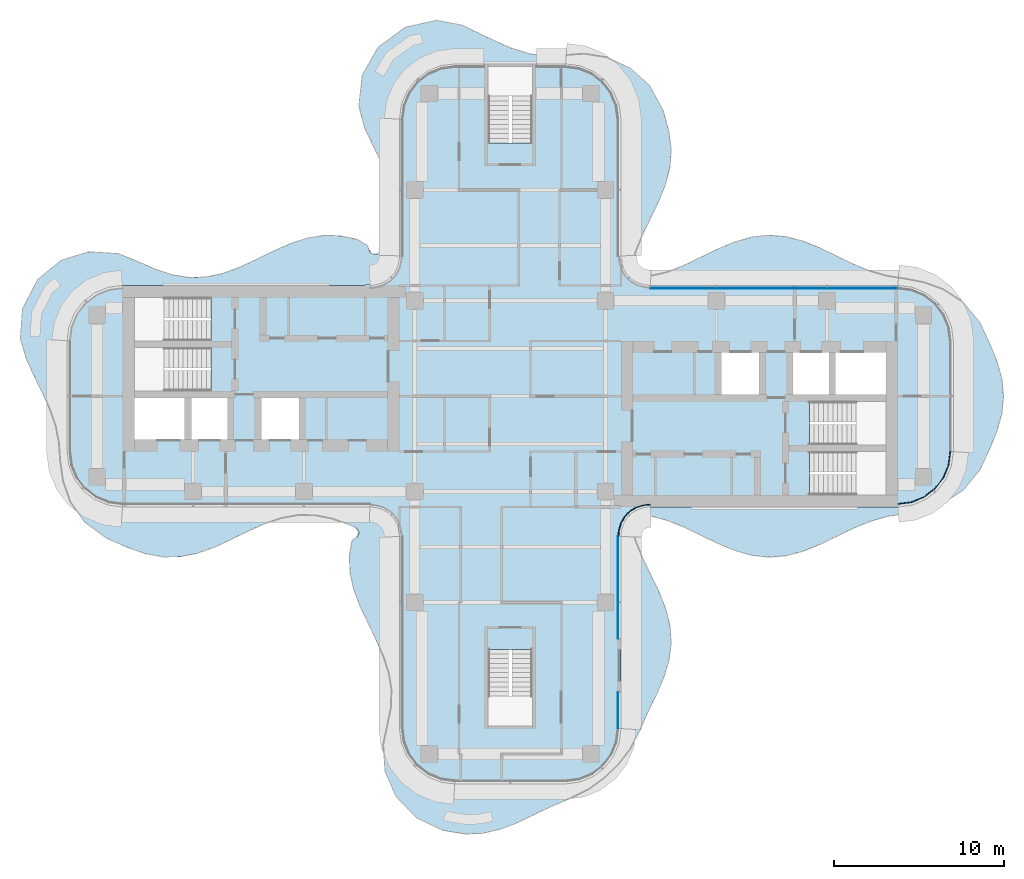
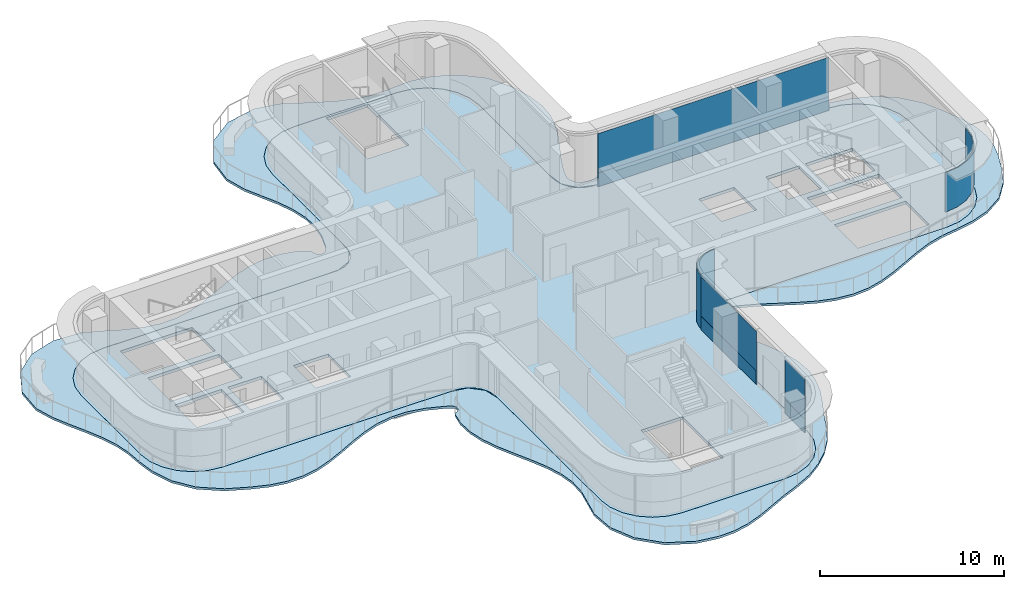
# One storey, part 9 of 16: 8 plates, 2 slabs, 5 elements without a shape of their own.
"""IFC4 building model written with IfcOpenShell, lengths in metres."""

from ifc_helpers import new_model, si_unit, direction, frame, origin, place, context, subcontext, project, spatial, polyline, outline, extrude, source, transform, mapped, material, layer, layer_set, type_object, element, aggregate, save


model = new_model("IFC4")

# Units and contexts
model_context = context("Model", 3, precision=1e-05, world=origin(), true_north=direction((0.0, 1.0)))
body_context = subcontext(model_context, "Body", "Model", "MODEL_VIEW")
ifc_project = project(units=[si_unit("LENGTHUNIT", "METRE"), si_unit("AREAUNIT", "SQUARE_METRE"), si_unit("VOLUMEUNIT", "CUBIC_METRE"), si_unit("PLANEANGLEUNIT", "RADIAN"), si_unit("MASSUNIT", "GRAM", prefix="KILO")], contexts=[model_context])

# Site, building, storey
site_placement = place(None, origin())
site = spatial("IfcSite", under=ifc_project, at=site_placement, CompositionType="ELEMENT")
building_placement = place(site_placement, origin())
building = spatial("IfcBuilding", under=site, at=building_placement, Name="Trellis Farm Tower", CompositionType="ELEMENT")
storey_placement = place(building_placement, frame((0.0, 0.0, 318.39990234375)))
storey = spatial("IfcBuildingStorey", under=building, at=storey_placement, Name="L72", CompositionType="ELEMENT", Elevation=318.39990234375)

# Slabs
ifc_material_1 = material(Name="Concrete C40/50", Category="concrete")
ifc_layer_1 = layer(ifc_material_1, 0.14990234375)
ifc_layer_set_1 = layer_set([ifc_layer_1], Name="Balcony slab 150")
slab_type_1 = type_object("IfcSlabType", Name="Balcony slab 150", PredefinedType="FLOOR", material=ifc_layer_set_1)
slab_1_placement = place(storey_placement, frame((0.0, 0.0, -0.14990234375)))
element("IfcSlab", 1, at=slab_1_placement, inside=storey, type_object=slab_type_1, Name="Balcony slab", PredefinedType="FLOOR", context=body_context, shape_type="SweptSolid", body=[
    extrude(outline(polyline([(-26.40478515625, -3.806884765625), (-26.477783203125, -2.735595703125), (-26.47900390625, -2.726318359375), (-26.670654296875, -1.736572265625), (-26.673583984375, -1.725830078125), (-27.016845703125, -0.748291015625), (-27.019287109375, -0.741943359375), (-27.467529296875, 0.240234375), (-27.468505859375, 0.2421875), (-27.956298828125, 1.233154296875), (-27.95849609375, 1.237548828125), (-28.397705078125, 2.2080078125), (-28.405029296875, 2.227783203125), (-28.732177734375, 3.34765625), (-28.7373046875, 3.37353515625), (-28.740966796875, 3.407470703125), (-28.741455078125, 3.43359375), (-28.630859375, 5.06298828125), (-28.625732421875, 5.09326171875), (-28.615234375, 5.131103515625), (-28.60400390625, 5.15966796875), (-27.76318359375, 6.79296875), (-27.74658203125, 6.818603515625), (-27.721923828125, 6.84912109375), (-27.700439453125, 6.87060546875), (-26.411865234375, 7.933349609375), (-26.387939453125, 7.949462890625), (-26.355224609375, 7.96728515625), (-26.32861328125, 7.978515625), (-24.78515625, 8.4638671875), (-24.7587890625, 8.469482421875), (-24.724609375, 8.47412109375), (-24.697021484375, 8.474853515625), (-23.062255859375, 8.377197265625), (-23.01611328125, 8.366943359375), (-21.8955078125, 7.924560546875), (-21.88916015625, 7.922119140625), (-20.879638671875, 7.470458984375), (-20.872802734375, 7.4677734375), (-19.875244140625, 7.135986328125), (-19.86376953125, 7.133056640625), (-18.873779296875, 6.968017578125), (-18.85986328125, 6.967041015625), (-17.87890625, 6.990234375), (-17.865234375, 6.99169921875), (-16.88916015625, 7.1962890625), (-16.87890625, 7.19921875), (-15.90087890625, 7.554443359375), (-15.89501953125, 7.556884765625), (-14.912353515625, 8.011474609375), (-14.910888671875, 8.01220703125), (-13.918701171875, 8.5), (-13.91357421875, 8.50244140625), (-12.92138671875, 8.943603515625), (-12.90771484375, 8.948974609375), (-11.95068359375, 9.26513671875), (-11.928466796875, 9.270751953125), (-10.961181640625, 9.43212890625), (-10.932861328125, 9.43408203125), (-9.964599609375, 9.41162109375), (-9.93701171875, 9.408203125), (-8.9921875, 9.20947265625), (-8.945556640625, 9.19091796875), (-8.388916015625, 8.853515625), (-8.319580078125, 8.754638671875), (-8.289794921875, 8.605712890625), (-8.28515625, 8.59130859375), (-8.230712890625, 8.46337890625), (-8.210205078125, 8.435302734375), (-8.111083984375, 8.35302734375), (-8.079833984375, 8.337646484375), (-7.954345703125, 8.3095703125), (-7.919677734375, 8.310302734375), (-7.794921875, 8.342529296875), (-7.764404296875, 8.35888671875), (-7.66162109375, 8.45068359375), (-7.64990234375, 8.464111328125), (-7.470703125, 8.723388671875), (-7.465087890625, 8.73291015625), (-7.425048828125, 8.81396484375), (-7.4208984375, 8.824462890625), (-7.113037109375, 9.788330078125), (-7.1103515625, 9.799560546875), (-6.966064453125, 10.72265625), (-6.965087890625, 10.736328125), (-6.99365234375, 11.719482421875), (-6.995361328125, 11.7333984375), (-7.22314453125, 12.7724609375), (-7.226318359375, 12.78271484375), (-7.5927734375, 13.7607421875), (-7.595458984375, 13.7666015625), (-8.52978515625, 15.715576171875), (-8.539306640625, 15.7412109375), (-8.882080078125, 17.01318359375), (-8.88671875, 17.041259765625), (-8.889404296875, 17.07763671875), (-8.888916015625, 17.10595703125), (-8.69091796875, 18.7978515625), (-8.684326171875, 18.827392578125), (-8.672119140625, 18.864501953125), (-8.65966796875, 18.892333984375), (-7.7509765625, 20.47412109375), (-7.732421875, 20.49951171875), (-7.705078125, 20.52978515625), (-7.681640625, 20.551025390625), (-6.195068359375, 21.62841796875), (-6.16796875, 21.64404296875), (-6.131103515625, 21.660400390625), (-6.101318359375, 21.669921875), (-4.335693359375, 22.04541015625), (-4.306396484375, 22.048583984375), (-4.2685546875, 22.049072265625), (-4.238525390625, 22.04638671875), (-2.869140625, 21.786376953125), (-2.832275390625, 21.7744140625), (-0.886474609375, 20.83935546875), (-0.8837890625, 20.838134765625), (0.09716796875, 20.412353515625), (0.10498046875, 20.409423828125), (1.13671875, 20.091796875), (1.148681640625, 20.089111328125), (2.13720703125, 19.957763671875), (2.15087890625, 19.95703125), (3.117431640625, 20.007080078125), (3.119384765625, 20.00732421875), (4.2919921875, 20.1015625), (4.32666015625, 20.10009765625), (5.624755859375, 19.901611328125), (5.664794921875, 19.8896484375), (6.99853515625, 19.27587890625), (7.03564453125, 19.251708984375), (8.15869140625, 18.250244140625), (8.1904296875, 18.210205078125), (8.959716796875, 16.798828125), (8.97265625, 16.7666015625), (9.310302734375, 15.5283203125), (9.314453125, 15.508056640625), (9.44384765625, 14.50830078125), (9.44482421875, 14.479248046875), (9.38232421875, 13.5126953125), (9.37841796875, 13.486328125), (9.139404296875, 12.51708984375), (9.133544921875, 12.498291015625), (8.751708984375, 11.521728515625), (8.747314453125, 11.51123046875), (7.797119140625, 9.53955078125), (7.7958984375, 9.536376953125), (7.380615234375, 8.560302734375), (7.377197265625, 8.55078125), (7.200927734375, 7.913818359375), (7.198974609375, 7.884765625), (7.228271484375, 7.650146484375), (7.2373046875, 7.622802734375), (7.413818359375, 7.310791015625), (7.423095703125, 7.297607421875), (7.507080078125, 7.2041015625), (7.532958984375, 7.185302734375), (7.648193359375, 7.135498046875), (7.663818359375, 7.130615234375), (8.125, 7.041015625), (8.1416015625, 7.039794921875), (8.279296875, 7.0439453125), (8.295654296875, 7.04638671875), (9.1494140625, 7.26708984375), (9.158203125, 7.269775390625), (10.179443359375, 7.672119140625), (10.1845703125, 7.67431640625), (12.15576171875, 8.625), (12.16259765625, 8.628173828125), (13.14208984375, 9.0400390625), (13.15869140625, 9.0458984375), (14.158203125, 9.333984375), (14.18310546875, 9.3388671875), (15.154296875, 9.4462890625), (15.18310546875, 9.44677734375), (16.14990234375, 9.367431640625), (16.175537109375, 9.36328125), (17.12451171875, 9.116455078125), (17.142333984375, 9.110595703125), (18.140869140625, 8.711181640625), (18.150390625, 8.70703125), (20.12158203125, 7.755615234375), (20.12548828125, 7.75390625), (21.144775390625, 7.332275390625), (21.1533203125, 7.329345703125), (22.142578125, 7.052978515625), (22.151611328125, 7.051025390625), (23.17724609375, 6.897705078125), (23.183349609375, 6.896728515625), (24.251220703125, 6.6923828125), (24.27392578125, 6.68603515625), (25.39111328125, 6.283447265625), (25.421142578125, 6.268310546875), (26.5390625, 5.54931640625), (26.57373046875, 5.518310546875), (27.55224609375, 4.328369140625), (27.572509765625, 4.296142578125), (28.1669921875, 3.01416015625), (28.169921875, 3.007080078125), (28.57275390625, 2.009765625), (28.578369140625, 1.9931640625), (28.851806640625, 0.993896484375), (28.8564453125, 0.96826171875), (28.947021484375, -0.00244140625), (28.947021484375, -0.03125), (28.85107421875, -0.997802734375), (28.846435546875, -1.02294921875), (28.578369140625, -1.993408203125), (28.572998046875, -2.009765625), (28.169921875, -3.007080078125), (28.1669921875, -3.01416015625), (27.572265625, -4.29638671875), (27.552490234375, -4.328125), (26.613525390625, -5.482666015625), (26.5791015625, -5.513671875), (25.421630859375, -6.26806640625), (25.390380859375, -6.283447265625), (24.27392578125, -6.68603515625), (24.251220703125, -6.6923828125), (23.183349609375, -6.896728515625), (23.17724609375, -6.897705078125), (22.151611328125, -7.051025390625), (22.142578125, -7.052978515625), (21.1533203125, -7.329345703125), (21.144775390625, -7.332275390625), (20.12548828125, -7.75390625), (20.12158203125, -7.755615234375), (18.150390625, -8.70703125), (18.140869140625, -8.711181640625), (17.142333984375, -9.110595703125), (17.12451171875, -9.116455078125), (16.175537109375, -9.36328125), (16.14990234375, -9.367431640625), (15.183349609375, -9.44677734375), (15.154296875, -9.4462890625), (14.154296875, -9.3330078125), (14.12939453125, -9.328125), (13.158447265625, -9.0458984375), (13.14208984375, -9.040283203125), (12.16259765625, -8.628173828125), (12.15576171875, -8.625), (10.1845703125, -7.67431640625), (10.179443359375, -7.672119140625), (9.158203125, -7.269775390625), (9.1494140625, -7.26708984375), (8.295654296875, -7.04638671875), (8.279296875, -7.0439453125), (8.1416015625, -7.039794921875), (8.125, -7.041015625), (7.663818359375, -7.130615234375), (7.648193359375, -7.135498046875), (7.532958984375, -7.185302734375), (7.507080078125, -7.2041015625), (7.423095703125, -7.297607421875), (7.413818359375, -7.310791015625), (7.2373046875, -7.622802734375), (7.228271484375, -7.650146484375), (7.198974609375, -7.884765625), (7.200927734375, -7.913818359375), (7.377197265625, -8.55078125), (7.380615234375, -8.560302734375), (7.7958984375, -9.536376953125), (7.797119140625, -9.53955078125), (8.747314453125, -11.51123046875), (8.751708984375, -11.521728515625), (9.133544921875, -12.498291015625), (9.139404296875, -12.51708984375), (9.37841796875, -13.486328125), (9.38232421875, -13.5126953125), (9.44482421875, -14.4794921875), (9.44384765625, -14.508056640625), (9.319580078125, -15.480224609375), (9.314697265625, -15.50439453125), (9.019287109375, -16.485595703125), (9.013427734375, -16.50146484375), (8.58935546875, -17.49169921875), (8.586181640625, -17.49853515625), (8.09716796875, -18.5), (8.095947265625, -18.50244140625), (7.624755859375, -19.563720703125), (7.62109375, -19.57080078125), (7.055908203125, -20.677978515625), (7.04052734375, -20.701904296875), (6.309814453125, -21.639892578125), (6.294189453125, -21.65673828125), (5.49560546875, -22.4091796875), (5.480712890625, -22.421630859375), (4.578125, -23.073486328125), (4.556884765625, -23.08642578125), (3.45849609375, -23.629638671875), (3.4501953125, -23.633544921875), (2.364501953125, -24.089111328125), (2.361083984375, -24.090576171875), (0.37939453125, -25.0419921875), (0.367431640625, -25.047119140625), (-0.618408203125, -25.419189453125), (-0.63818359375, -25.42529296875), (-1.614990234375, -25.646484375), (-1.64208984375, -25.64990234375), (-2.611328125, -25.689208984375), (-2.64111328125, -25.6875), (-3.92041015625, -25.482421875), (-3.961181640625, -25.469970703125), (-5.46337890625, -24.757080078125), (-5.487060546875, -24.7431640625), (-5.51513671875, -24.72265625), (-5.535400390625, -24.705078125), (-6.674560546875, -23.51513671875), (-6.691162109375, -23.49462890625), (-6.710205078125, -23.4658203125), (-6.722900390625, -23.442626953125), (-7.34033203125, -22.02294921875), (-7.3525390625, -21.9736328125), (-7.457763671875, -20.47900390625), (-7.454833984375, -20.4375), (-7.003173828125, -18.296142578125), (-7.001708984375, -18.283203125), (-6.96533203125, -17.23681640625), (-6.96630859375, -17.222412109375), (-7.123291015625, -16.24560546875), (-7.1259765625, -16.234619140625), (-7.431640625, -15.291015625), (-7.434326171875, -15.28369140625), (-7.874755859375, -14.281982421875), (-7.876220703125, -14.279296875), (-8.367919921875, -13.277587890625), (-8.369140625, -13.27490234375), (-8.82568359375, -12.2939453125), (-8.83056640625, -12.282470703125), (-9.197021484375, -11.283203125), (-9.20263671875, -11.262939453125), (-9.404541015625, -10.318603515625), (-9.40771484375, -10.29150390625), (-9.436279296875, -9.3271484375), (-9.433837890625, -9.29541015625), (-9.282470703125, -8.47412109375), (-9.17529296875, -8.35693359375), (-9.060546875, -8.324951171875), (-9.026123046875, -8.3037109375), (-8.92919921875, -8.19775390625), (-8.911376953125, -8.1630859375), (-8.8818359375, -8.021484375), (-8.88427734375, -7.982666015625), (-8.930908203125, -7.845947265625), (-8.95263671875, -7.813720703125), (-9.070068359375, -7.713134765625), (-9.0869140625, -7.702392578125), (-9.423583984375, -7.545166015625), (-9.43017578125, -7.54248046875), (-10.42724609375, -7.185546875), (-10.43798828125, -7.1826171875), (-11.429443359375, -6.984619140625), (-11.443359375, -6.983154296875), (-12.42578125, -6.971923828125), (-12.439697265625, -6.97314453125), (-13.416259765625, -7.146240234375), (-13.427001953125, -7.14892578125), (-14.372802734375, -7.4677734375), (-14.37939453125, -7.470458984375), (-15.381591796875, -7.918701171875), (-15.384033203125, -7.919921875), (-16.380859375, -8.41015625), (-16.384521484375, -8.411865234375), (-17.36767578125, -8.86376953125), (-17.3798828125, -8.868896484375), (-18.3544921875, -9.21630859375), (-18.37548828125, -9.22216796875), (-19.34326171875, -9.415283203125), (-19.371337890625, -9.418212890625), (-20.37109375, -9.4267578125), (-20.399658203125, -9.42431640625), (-21.366943359375, -9.2470703125), (-21.388671875, -9.241455078125), (-22.362060546875, -8.906494140625), (-22.372802734375, -8.902587890625), (-23.658203125, -8.347900390625), (-23.68701171875, -8.33154296875), (-24.927001953125, -7.429443359375), (-24.960693359375, -7.3955078125), (-25.787109375, -6.23974609375), (-25.806640625, -6.2021484375), (-26.24072265625, -4.96435546875), (-26.247802734375, -4.935302734375), (-26.403564453125, -3.8173828125), (-26.40478515625, -3.806884765625)]), holes=[polyline([(-6.593017578125, 7.72998046875), (-7.0166015625, 7.00244140625), (-7.045166015625, 6.967041015625), (-7.0869140625, 6.928955078125), (-7.124755859375, 6.90380859375), (-7.896484375, 6.545654296875), (-7.92578125, 6.53564453125), (-7.96435546875, 6.526611328125), (-7.994873046875, 6.522705078125), (-8.91552734375, 6.50048828125), (-22.75, 6.50048828125), (-23.59130859375, 6.389892578125), (-24.375244140625, 6.065185546875), (-25.048583984375, 5.548583984375), (-25.565185546875, 4.875244140625), (-25.889892578125, 4.09130859375), (-26.00048828125, 3.25), (-26.00048828125, -3.25), (-25.889892578125, -4.09130859375), (-25.565185546875, -4.875244140625), (-25.048583984375, -5.548583984375), (-24.375244140625, -6.065185546875), (-23.59130859375, -6.389892578125), (-22.75, -6.50048828125), (-8.43701171875, -6.50048828125), (-8.41796875, -6.502197265625), (-7.5166015625, -6.66064453125), (-7.47509765625, -6.67431640625), (-7.42724609375, -6.698486328125), (-7.391845703125, -6.72314453125), (-6.78564453125, -7.29248046875), (-6.7587890625, -7.326416015625), (-6.731689453125, -7.37255859375), (-6.71533203125, -7.413330078125), (-6.504150390625, -8.30078125), (-6.50048828125, -8.33056640625), (-6.50048828125, -19.5), (-6.389892578125, -20.34130859375), (-6.065185546875, -21.125244140625), (-5.548583984375, -21.798583984375), (-4.875244140625, -22.315185546875), (-4.09130859375, -22.639892578125), (-3.25, -22.75048828125), (3.25, -22.75048828125), (4.09130859375, -22.639892578125), (4.875244140625, -22.315185546875), (5.548583984375, -21.798583984375), (6.065185546875, -21.125244140625), (6.389892578125, -20.34130859375), (6.50048828125, -19.5), (6.50048828125, -14.7783203125), (6.50146484375, -8.531982421875), (6.502685546875, -8.51318359375), (6.6162109375, -7.62060546875), (6.627197265625, -7.580810546875), (6.6474609375, -7.532958984375), (6.6689453125, -7.49755859375), (7.19287109375, -6.849853515625), (7.2255859375, -6.81982421875), (7.270751953125, -6.789306640625), (7.31201171875, -6.769775390625), (8.18359375, -6.509521484375), (8.2265625, -6.50341796875), (19.6259765625, -6.50048828125), (22.75, -6.50048828125), (23.59130859375, -6.389892578125), (24.375244140625, -6.065185546875), (25.048583984375, -5.548583984375), (25.565185546875, -4.875244140625), (25.889892578125, -4.09130859375), (26.00048828125, -3.25), (26.00048828125, 3.25), (25.889892578125, 4.09130859375), (25.565185546875, 4.875244140625), (25.048583984375, 5.548583984375), (24.375244140625, 6.065185546875), (23.59130859375, 6.389892578125), (22.75, 6.50048828125), (19.626220703125, 6.50048828125), (8.2265625, 6.50341796875), (8.18359375, 6.509521484375), (7.31201171875, 6.769775390625), (7.270751953125, 6.789306640625), (7.2255859375, 6.81982421875), (7.19287109375, 6.849853515625), (6.6689453125, 7.49755859375), (6.6474609375, 7.532958984375), (6.627197265625, 7.580810546875), (6.6162109375, 7.62060546875), (6.502685546875, 8.51318359375), (6.50146484375, 8.531982421875), (6.50048828125, 12.0361328125), (6.50048828125, 16.25), (6.389892578125, 17.09130859375), (6.065185546875, 17.875244140625), (5.548583984375, 18.548583984375), (4.875244140625, 19.065185546875), (4.09130859375, 19.389892578125), (3.25, 19.50048828125), (-3.25, 19.50048828125), (-4.09130859375, 19.389892578125), (-4.875244140625, 19.065185546875), (-5.548583984375, 18.548583984375), (-6.065185546875, 17.875244140625), (-6.389892578125, 17.09130859375), (-6.50048828125, 16.25), (-6.50048828125, 8.7666015625), (-6.56005859375, 7.838134765625), (-6.56640625, 7.80419921875), (-6.5791015625, 7.76171875), (-6.593017578125, 7.72998046875)])]), origin(), (0.0, 0.0, 1.0), 0.14990234375),
])
ifc_layer_2 = layer(ifc_material_1, 0.199951171875)
ifc_layer_set_2 = layer_set([ifc_layer_2], Name="Composite deck floor slab 200")
slab_type_2 = type_object("IfcSlabType", Name="Composite deck floor slab 200", PredefinedType="FLOOR", material=ifc_layer_set_2)
shared_shape_1 = source(origin(), body_context, "Body", "SweptSolid", [
    extrude(outline(polyline([(-23.59130859375, -6.389404296875), (-24.375, -6.064697265625), (-25.048095703125, -5.548095703125), (-25.564697265625, -4.875), (-25.889404296875, -4.09130859375), (-26.0, -3.25), (-26.0, 3.25), (-25.889404296875, 4.09130859375), (-25.564697265625, 4.875), (-25.048095703125, 5.548095703125), (-24.375, 6.064697265625), (-23.59130859375, 6.389404296875), (-22.75, 6.5), (-8.2314453125, 6.5), (-8.01953125, 6.513916015625), (-7.91552734375, 6.527587890625), (-7.508544921875, 6.63671875), (-7.144287109375, 6.846923828125), (-6.846923828125, 7.144287109375), (-6.63671875, 7.508544921875), (-6.527587890625, 7.91552734375), (-6.513916015625, 8.01953125), (-6.5, 8.2314453125), (-6.5, 16.25), (-6.389404296875, 17.09130859375), (-6.064697265625, 17.875), (-5.548095703125, 18.548095703125), (-4.875, 19.064697265625), (-4.09130859375, 19.389404296875), (-3.25, 19.5), (3.25, 19.5), (4.09130859375, 19.389404296875), (4.875, 19.064697265625), (5.548095703125, 18.548095703125), (6.064697265625, 17.875), (6.389404296875, 17.09130859375), (6.5, 16.25), (6.5, 8.2314453125), (6.513916015625, 8.01953125), (6.527587890625, 7.91552734375), (6.63671875, 7.508544921875), (6.846923828125, 7.144287109375), (7.144287109375, 6.846923828125), (7.508544921875, 6.63671875), (7.91552734375, 6.527587890625), (8.01953125, 6.513916015625), (8.2314453125, 6.5), (22.75, 6.5), (23.59130859375, 6.389404296875), (24.375, 6.064697265625), (25.048095703125, 5.548095703125), (25.564697265625, 4.875), (25.889404296875, 4.09130859375), (26.0, 3.25), (26.0, -3.25), (25.889404296875, -4.09130859375), (25.564697265625, -4.875), (25.048095703125, -5.548095703125), (24.375, -6.064697265625), (23.59130859375, -6.389404296875), (22.75, -6.5), (8.2314453125, -6.5), (8.01953125, -6.513916015625), (7.91552734375, -6.527587890625), (7.508544921875, -6.63671875), (7.144287109375, -6.846923828125), (6.846923828125, -7.144287109375), (6.63671875, -7.508544921875), (6.527587890625, -7.91552734375), (6.513916015625, -8.01953125), (6.5, -8.2314453125), (6.5, -19.5), (6.389404296875, -20.34130859375), (6.064697265625, -21.125), (5.548095703125, -21.798095703125), (4.875, -22.314697265625), (4.09130859375, -22.639404296875), (3.25, -22.75), (-3.25, -22.75), (-4.09130859375, -22.639404296875), (-4.875, -22.314697265625), (-5.548095703125, -21.798095703125), (-6.064697265625, -21.125), (-6.389404296875, -20.34130859375), (-6.5, -19.5), (-6.5, -8.2314453125), (-6.513916015625, -8.01953125), (-6.527587890625, -7.91552734375), (-6.63671875, -7.508544921875), (-6.846923828125, -7.144287109375), (-7.144287109375, -6.846923828125), (-7.508544921875, -6.63671875), (-7.91552734375, -6.527587890625), (-8.01953125, -6.513916015625), (-8.2314453125, -6.5), (-22.75, -6.5), (-23.59130859375, -6.389404296875)]), holes=[polyline([(-22.050048828125, -2.550048828125), (-19.10009765625, -2.550048828125), (-19.10009765625, -0.10009765625), (-22.050048828125, -0.10009765625), (-22.050048828125, -2.550048828125)]), polyline([(-18.699951171875, -0.10009765625), (-18.699951171875, -2.550048828125), (-16.60009765625, -2.550048828125), (-16.60009765625, -0.10009765625), (-18.699951171875, -0.10009765625)]), polyline([(-14.60009765625, -0.10009765625), (-14.60009765625, -2.550048828125), (-12.39990234375, -2.550048828125), (-12.39990234375, -0.10009765625), (-14.60009765625, -0.10009765625)]), polyline([(-17.56201171875, 2.85009765625), (-22.050048828125, 2.85009765625), (-22.050048828125, 0.300048828125), (-17.56005859375, 0.300048828125), (-17.56005859375, 1.5), (-17.550048828125, 1.5), (-17.550048828125, 1.64990234375), (-17.56201171875, 1.64990234375), (-17.56201171875, 2.85009765625)]), polyline([(-17.56201171875, 4.60009765625), (-17.56201171875, 5.800048828125), (-22.050048828125, 5.800048828125), (-22.050048828125, 3.25), (-17.56005859375, 3.25), (-17.56005859375, 4.449951171875), (-17.550048828125, 4.449951171875), (-17.550048828125, 4.60009765625), (-17.56201171875, 4.60009765625)]), polyline([(0.10009765625, 14.862060546875), (1.300048828125, 14.862060546875), (1.300048828125, 19.35009765625), (-1.300048828125, 19.35009765625), (-1.300048828125, 14.860107421875), (-0.10009765625, 14.860107421875), (-0.10009765625, 14.85009765625), (0.10009765625, 14.85009765625), (0.10009765625, 14.862060546875)]), polyline([(-1.300048828125, -14.862060546875), (-1.300048828125, -19.35009765625), (1.300048828125, -19.35009765625), (1.300048828125, -14.860107421875), (0.10009765625, -14.860107421875), (0.10009765625, -14.85009765625), (-0.10009765625, -14.85009765625), (-0.10009765625, -14.862060546875), (-1.300048828125, -14.862060546875)]), polyline([(17.56201171875, -4.60009765625), (17.56201171875, -5.800048828125), (22.050048828125, -5.800048828125), (22.050048828125, -3.25), (17.56005859375, -3.25), (17.56005859375, -4.449951171875), (17.550048828125, -4.449951171875), (17.550048828125, -4.60009765625), (17.56201171875, -4.60009765625)]), polyline([(17.56201171875, -1.64990234375), (17.56201171875, -2.85009765625), (22.050048828125, -2.85009765625), (22.050048828125, -0.300048828125), (17.56005859375, -0.300048828125), (17.56005859375, -1.5), (17.550048828125, -1.5), (17.550048828125, -1.64990234375), (17.56201171875, -1.64990234375)]), polyline([(14.60009765625, 2.550048828125), (12.39990234375, 2.550048828125), (12.39990234375, 0.10009765625), (14.60009765625, 0.10009765625), (14.60009765625, 2.550048828125)]), polyline([(18.699951171875, 0.10009765625), (18.699951171875, 2.550048828125), (16.60009765625, 2.550048828125), (16.60009765625, 0.10009765625), (18.699951171875, 0.10009765625)]), polyline([(22.050048828125, 0.10009765625), (22.050048828125, 2.550048828125), (19.10009765625, 2.550048828125), (19.10009765625, 0.10009765625), (22.050048828125, 0.10009765625)])]), origin(), (0.0, 0.0, 1.0), 0.199951171875),
])
slab_2_placement = place(storey_placement, frame((0.0, 0.0, -0.199951171875)))
element("IfcSlab", 2, at=slab_2_placement, inside=storey, type_object=slab_type_2, Name="Floor slab", PredefinedType="FLOOR", context=body_context, shape_type="MappedRepresentation", body=[
    mapped(shared_shape_1, transform((0.0, 0.0, 0.0))),
])

# Curtain wall, plate
ifc_material_2 = material(Name="Aluminium and glass curtain wall", Category="aluminium")
ifc_layer_3 = layer(ifc_material_2, 0.166015625)
ifc_layer_set_3 = layer_set([ifc_layer_3], Name="WINTER GARDEN CURTAIN WALL CW3")
curtain_wall_type_1 = type_object("IfcCurtainWallType", Name="WINTER GARDEN CURTAIN WALL CW3", PredefinedType="NOTDEFINED", material=ifc_layer_set_3)
placement_1 = place(storey_placement, origin())
curtain_wall_1 = element("IfcCurtainWall", 3, at=placement_1, inside=storey, type_object=curtain_wall_type_1, Name="CW3 002", PredefinedType="NOTDEFINED")
ifc_material_3 = material(Name="Clear insulated glass", Category="glass")
ifc_layer_4 = layer(ifc_material_3, 0.0458984375)
ifc_layer_set_4 = layer_set([ifc_layer_4], Name="CW3 GLASS PANEL 46")
plate_type_1 = type_object("IfcPlateType", Name="CW3 GLASS PANEL 46", PredefinedType="CURTAIN_PANEL", material=ifc_layer_set_4)
shared_shape_2 = source(origin(), body_context, "Body", "SweptSolid", [
    extrude(outline(polyline([(6.3798828125, -8.2275390625), (6.394287109375, -8.0078125), (6.40966796875, -7.89208984375), (6.52490234375, -7.462158203125), (6.7509765625, -7.070556640625), (7.070556640625, -6.7509765625), (7.462158203125, -6.52490234375), (7.89208984375, -6.40966796875), (8.0078125, -6.394287109375), (8.2275390625, -6.3798828125), (8.22607421875, -6.333984375), (8.003173828125, -6.3486328125), (7.883056640625, -6.364501953125), (7.4443359375, -6.48193359375), (7.04248046875, -6.714111328125), (6.714111328125, -7.04248046875), (6.48193359375, -7.4443359375), (6.364501953125, -7.883056640625), (6.3486328125, -8.003173828125), (6.333984375, -8.22607421875), (6.3798828125, -8.2275390625)])), origin(), (0.0, 0.0, 1.0), 3.550048828125),
])
plate_1 = element("IfcPlate", 4, at=placement_1, type_object=plate_type_1, Name="PL3 002", PredefinedType="CURTAIN_PANEL", context=body_context, shape_type="MappedRepresentation", body=[
    mapped(shared_shape_2, transform((0.0, 0.0, 0.0))),
])
aggregate(curtain_wall_1, [plate_1])

ifc_layer_5 = layer(ifc_material_2, 0.18994140625)
ifc_layer_set_5 = layer_set([ifc_layer_5], Name="RIBBON CURTAIN WALL CW1")
curtain_wall_type_2 = type_object("IfcCurtainWallType", Name="RIBBON CURTAIN WALL CW1", PredefinedType="NOTDEFINED", material=ifc_layer_set_5)
curtain_wall_2 = element("IfcCurtainWall", 5, at=placement_1, inside=storey, type_object=curtain_wall_type_2, Name="CW1 006", PredefinedType="NOTDEFINED")
ifc_layer_6 = layer(ifc_material_3, 0.0400390625)
ifc_layer_set_6 = layer_set([ifc_layer_6], Name="CW1 GLASS PANEL 40")
plate_type_2 = type_object("IfcPlateType", Name="CW1 GLASS PANEL 40", PredefinedType="CURTAIN_PANEL", material=ifc_layer_set_6)
shared_shape_3 = source(origin(), body_context, "Body", "SweptSolid", [
    extrude(outline(polyline([(22.740234375, -6.35009765625), (23.552001953125, -6.2431640625), (24.29931640625, -5.93359375), (24.941162109375, -5.441162109375), (25.43359375, -4.79931640625), (25.7431640625, -4.052001953125), (25.85009765625, -3.240234375), (25.81005859375, -3.237548828125), (25.7041015625, -4.04150390625), (25.398681640625, -4.779296875), (24.91259765625, -5.41259765625), (24.279296875, -5.898681640625), (23.54150390625, -6.2041015625), (22.737548828125, -6.31005859375), (22.740234375, -6.35009765625)])), origin(), (0.0, 0.0, 1.0), 2.619873046875),
])
placement_2 = place(storey_placement, frame((0.0, 0.0, 0.900146484375)))
plate_2 = element("IfcPlate", 6, at=placement_2, type_object=plate_type_2, Name="PL1 006", PredefinedType="CURTAIN_PANEL", context=body_context, shape_type="MappedRepresentation", body=[
    mapped(shared_shape_3, transform((0.0, 0.0, 0.0))),
])
aggregate(curtain_wall_2, [plate_2])

# Curtain wall, plates
curtain_wall_3 = element("IfcCurtainWall", 7, at=placement_1, inside=storey, type_object=curtain_wall_type_2, Name="CW1 008", PredefinedType="NOTDEFINED")
shared_shape_4 = source(origin(), body_context, "Body", "SweptSolid", [
    extrude(outline(polyline([(22.740234375, 6.35009765625), (8.2265625, 6.35009765625), (8.22509765625, 6.31005859375), (22.737548828125, 6.31005859375), (22.740234375, 6.35009765625)])), origin(), (0.0, 0.0, 1.0), 2.619873046875),
])
plate_3 = element("IfcPlate", 8, at=placement_2, type_object=plate_type_2, Name="PL1 008", PredefinedType="CURTAIN_PANEL", context=body_context, shape_type="MappedRepresentation", body=[
    mapped(shared_shape_4, transform((0.0, 0.0, 0.0))),
])
ifc_material_4 = material(Name="Sandstone faced insulated panel", Category="masonry")
ifc_layer_7 = layer(ifc_material_4, 0.050048828125)
ifc_layer_set_7 = layer_set([ifc_layer_7], Name="CW1 STONE SPANDREL PANEL 50")
plate_type_3 = type_object("IfcPlateType", Name="CW1 STONE SPANDREL PANEL 50", PredefinedType="CURTAIN_PANEL", material=ifc_layer_set_7)
shared_shape_5 = source(origin(), body_context, "Body", "SweptSolid", [
    extrude(outline(polyline([(22.740234375, 6.35009765625), (8.2265625, 6.35009765625), (8.224853515625, 6.300048828125), (22.73681640625, 6.300048828125), (22.740234375, 6.35009765625)])), origin(), (0.0, 0.0, 1.0), 0.900146484375),
])
plate_4 = element("IfcPlate", 9, at=placement_1, type_object=plate_type_3, Name="PS1 008", PredefinedType="CURTAIN_PANEL", context=body_context, shape_type="MappedRepresentation", body=[
    mapped(shared_shape_5, transform((0.0, 0.0, 0.0))),
])
aggregate(curtain_wall_3, [plate_3, plate_4])

curtain_wall_4 = element("IfcCurtainWall", 10, at=placement_1, inside=storey, type_object=curtain_wall_type_2, Name="CW1 004", PredefinedType="NOTDEFINED")
shared_shape_6 = source(origin(), body_context, "Body", "SweptSolid", [
    extrude(outline(polyline([(6.35009765625, -19.490234375), (6.35009765625, -17.360107421875), (6.31005859375, -17.360107421875), (6.31005859375, -19.487548828125), (6.35009765625, -19.490234375)])), origin(), (0.0, 0.0, 1.0), 2.619873046875),
])
plate_5 = element("IfcPlate", 11, at=placement_2, type_object=plate_type_2, Name="PL1 004", PredefinedType="CURTAIN_PANEL", context=body_context, shape_type="MappedRepresentation", body=[
    mapped(shared_shape_6, transform((0.0, 0.0, 0.0))),
])
shared_shape_7 = source(origin(), body_context, "Body", "SweptSolid", [
    extrude(outline(polyline([(6.35009765625, -19.490234375), (6.35009765625, -17.360107421875), (6.300048828125, -17.360107421875), (6.300048828125, -19.48681640625), (6.35009765625, -19.490234375)])), origin(), (0.0, 0.0, 1.0), 0.900146484375),
])
plate_6 = element("IfcPlate", 12, at=placement_1, type_object=plate_type_3, Name="PS1 004", PredefinedType="CURTAIN_PANEL", context=body_context, shape_type="MappedRepresentation", body=[
    mapped(shared_shape_7, transform((0.0, 0.0, 0.0))),
])
aggregate(curtain_wall_4, [plate_5, plate_6])

curtain_wall_5 = element("IfcCurtainWall", 13, at=placement_1, inside=storey, type_object=curtain_wall_type_2, Name="CW1 005", PredefinedType="NOTDEFINED")
shared_shape_8 = source(origin(), body_context, "Body", "SweptSolid", [
    extrude(outline(polyline([(6.35009765625, -14.239990234375), (6.35009765625, -8.2265625), (6.31005859375, -8.22509765625), (6.31005859375, -14.239990234375), (6.35009765625, -14.239990234375)])), origin(), (0.0, 0.0, 1.0), 2.619873046875),
])
plate_7 = element("IfcPlate", 14, at=placement_2, type_object=plate_type_2, Name="PL1 005", PredefinedType="CURTAIN_PANEL", context=body_context, shape_type="MappedRepresentation", body=[
    mapped(shared_shape_8, transform((0.0, 0.0, 0.0))),
])
shared_shape_9 = source(origin(), body_context, "Body", "SweptSolid", [
    extrude(outline(polyline([(6.35009765625, -14.239990234375), (6.35009765625, -8.2265625), (6.300048828125, -8.224853515625), (6.300048828125, -14.239990234375), (6.35009765625, -14.239990234375)])), origin(), (0.0, 0.0, 1.0), 0.900146484375),
])
plate_8 = element("IfcPlate", 15, at=placement_1, type_object=plate_type_3, Name="PS1 005", PredefinedType="CURTAIN_PANEL", context=body_context, shape_type="MappedRepresentation", body=[
    mapped(shared_shape_9, transform((0.0, 0.0, 0.0))),
])
aggregate(curtain_wall_5, [plate_7, plate_8])

save(model, "model.ifc")
